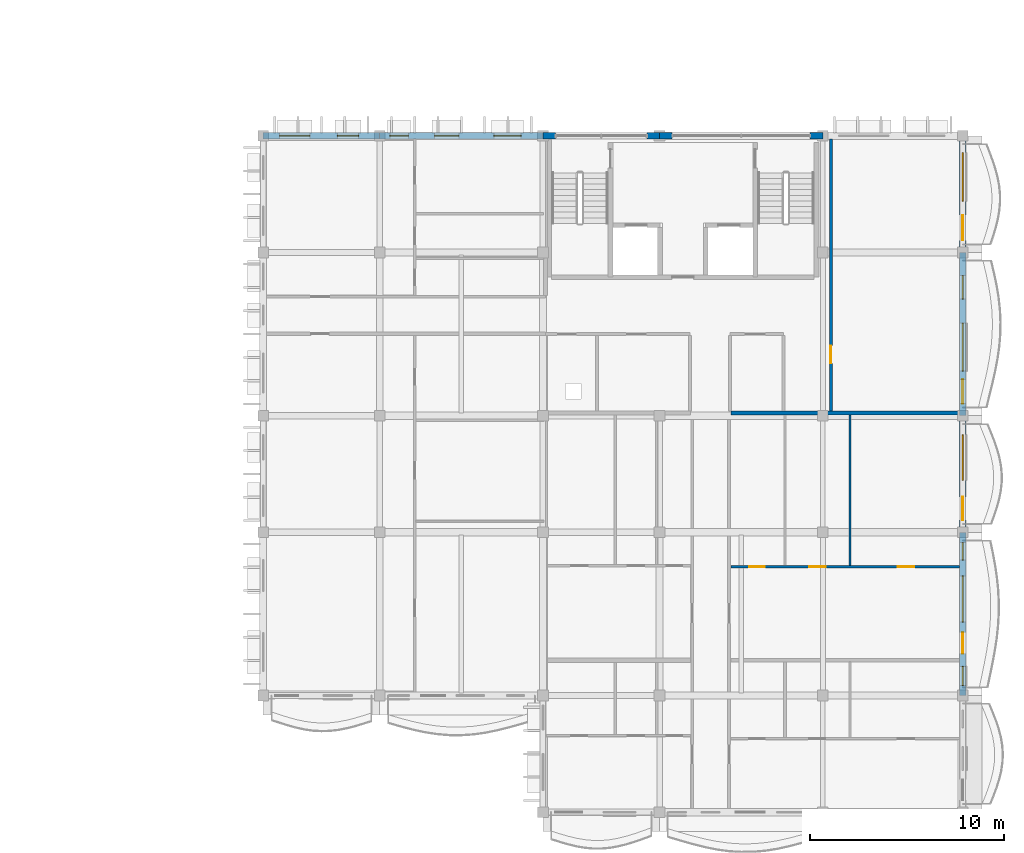
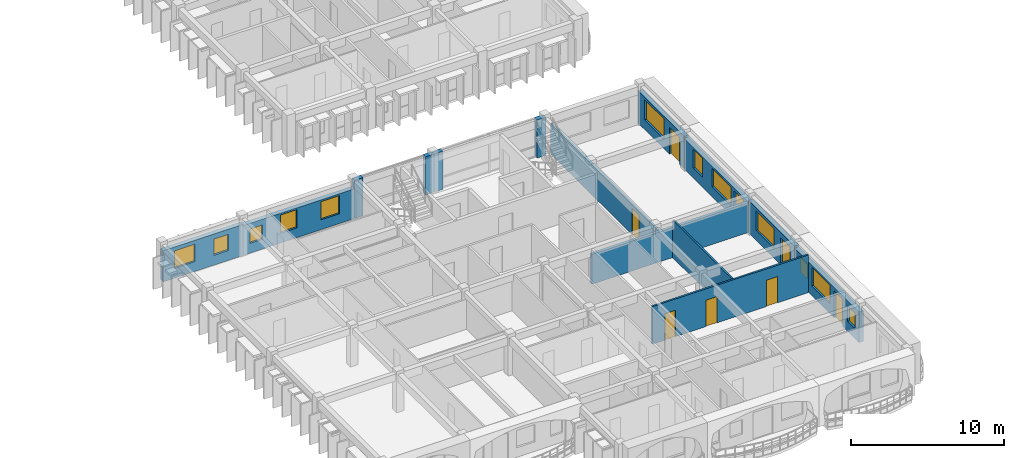
# One storey, part 61 of 101: 14 walls, 12 windows, 8 doors, 20 openings.
"""IFC4 building model written with IfcOpenShell, lengths in metres."""

from ifc_helpers import new_model, si_unit, direction, frame, frame_2d, origin, place, context, subcontext, project, spatial, rectangle, extrude, material, layer, layer_set, type_object, element, fill, save


model = new_model("IFC4")

# Units and contexts
model_context = context("Model", 3, precision=1e-05, world=origin(), true_north=direction((0.0, 1.0)))
body_context = subcontext(model_context, "Body", "Model", "MODEL_VIEW")
ifc_project = project(units=[si_unit("LENGTHUNIT", "METRE"), si_unit("AREAUNIT", "SQUARE_METRE"), si_unit("VOLUMEUNIT", "CUBIC_METRE"), si_unit("PLANEANGLEUNIT", "RADIAN"), si_unit("MASSUNIT", "GRAM", prefix="KILO"), si_unit("THERMODYNAMICTEMPERATUREUNIT", "KELVIN")], contexts=[model_context])

# Site, building, storey
site_placement = place(None, origin())
site = spatial("IfcSite", under=ifc_project, at=site_placement, CompositionType="ELEMENT")
building_placement = place(site_placement, origin())
building = spatial("IfcBuilding", under=site, at=building_placement, Name="Thalorik Housing Commons", CompositionType="ELEMENT")
storey_placement = place(building_placement, frame((0.0, 0.0, 8.10009765625)))
storey = spatial("IfcBuildingStorey", under=building, at=storey_placement, Name="L02", CompositionType="ELEMENT", Elevation=8.10009765625)

# Wall, opening, door
ifc_material_1 = material(Name="Masonry fire-rated corridor wall", Category="masonry")
ifc_layer_1 = layer(ifc_material_1, 0.14990234375, Name="Masonry fire-rated corridor wall", Category="masonry")
ifc_layer_set_1 = layer_set([ifc_layer_1], Name="Masonry fire-rated corridor wall")
wall_type_1 = type_object("IfcWallType", Name="ARC-WAL-CORR-150", PredefinedType="PARTITIONING", material=ifc_layer_set_1)
wall_1_placement = place(storey_placement, frame((167.219970703125, 57.85205078125, 0.0), z_axis=(0.0, 0.0, 1.0), x_axis=(0.0, 1.0, 0.0)))
wall_1 = element("IfcWall", 1, at=wall_1_placement, inside=storey, type_object=wall_type_1, Name="L02 Block D East Studio Wall", PredefinedType="PARTITIONING", context=body_context, shape_type="SweptSolid", body=[
    extrude(rectangle(XDim=13.978515625, YDim=0.14990234375, at=frame_2d((6.9892578125, 0.0))), origin(), (0.0, 0.0, 1.0), 2.4248046875),
])
opening_1_placement = place(wall_1_placement, frame((2.43798828125, 0.0, 0.0)))
opening_1 = element("IfcOpeningElement", 2, at=opening_1_placement, cuts=wall_1, Name="Opening ID-2016", PredefinedType="OPENING", context=body_context, shape_type="SweptSolid", body=[
    extrude(rectangle(XDim=0.919921875, YDim=2.10009765625, at=frame_2d((0.4599609375, 1.050048828125))), frame((0.0, 0.0849609375, 0.0), z_axis=(0.0, -1.0, 0.0), x_axis=(1.0, 0.0, 0.0)), (0.0, 0.0, 1.0), 0.169921875),
])
ifc_material_2 = material(Name="Solid core hardwood timber", Category="wood")
door_type_1 = type_object("IfcDoorType", Name="ARC-DR-FD30-920", OperationType="NOTDEFINED", PredefinedType="DOOR", material=ifc_material_2)
door_1_placement = place(opening_1_placement, origin())
door_1 = element("IfcDoor", 3, at=door_1_placement, inside=storey, type_object=door_type_1, Name="L02 Block D East Room Door", OperationType="SINGLE_SWING_LEFT", OverallHeight=2.10009765625, OverallWidth=0.919921875, PredefinedType="DOOR", context=body_context, shape_type="SweptSolid", body=[
    extrude(rectangle(XDim=0.919921875, YDim=2.10009765625, at=frame_2d((0.4599609375, 1.050048828125))), frame((0.0, 0.02490234375, 0.0), z_axis=(0.0, -1.0, 0.0), x_axis=(1.0, 0.0, 0.0)), (0.0, 0.0, 1.0), 0.050048828125),
])
fill(opening_1, door_1)

# Wall, openings, windows
ifc_material_3 = material(Name="White precast concrete C40/50", Category="concrete")
ifc_layer_2 = layer(ifc_material_3, 0.3349609375, Name="White precast concrete C40/50", Category="concrete")
ifc_layer_set_2 = layer_set([ifc_layer_2], Name="White precast concrete C40/50")
wall_type_2 = type_object("IfcWallType", Name="ARC-WAL-EXT-335", PredefinedType="STANDARD", material=ifc_layer_set_2)
wall_2_placement = place(storey_placement, frame((152.39990234375, 72.0, 0.0), z_axis=(0.0, 0.0, 1.0), x_axis=(-1.0, 0.0, 0.0)))
wall_2 = element("IfcWall", 4, at=wall_2_placement, inside=storey, type_object=wall_type_2, Name="L02 Exterior Wall WAL-EXT-L02-D-1145", PredefinedType="STANDARD", context=body_context, shape_type="SweptSolid", body=[
    extrude(rectangle(XDim=8.39990234375, YDim=0.3349609375, at=frame_2d((4.199951171875, 0.0))), origin(), (0.0, 0.0, 1.0), 2.375),
])
opening_2_placement = place(wall_2_placement, frame((1.125, 0.0, 0.780029296875)))
opening_2 = element("IfcOpeningElement", 5, at=opening_2_placement, cuts=wall_2, Name="Opening W-08", PredefinedType="OPENING", context=body_context, shape_type="SweptSolid", body=[
    extrude(rectangle(XDim=1.39990234375, YDim=1.449951171875, at=frame_2d((0.699951171875, 0.72509765625))), frame((0.0, 0.177490234375, 0.0), z_axis=(0.0, -1.0, 0.0), x_axis=(1.0, 0.0, 0.0)), (0.0, 0.0, 1.0), 0.35498046875),
])
opening_3_placement = place(wall_2_placement, frame((4.32958984375, 0.0, 0.780029296875)))
opening_3 = element("IfcOpeningElement", 6, at=opening_3_placement, cuts=wall_2, Name="Opening W-47", PredefinedType="OPENING", context=body_context, shape_type="SweptSolid", body=[
    extrude(rectangle(XDim=1.25, YDim=1.449951171875, at=frame_2d((0.625, 0.72509765625))), frame((0.0, 0.177490234375, 0.0), z_axis=(0.0, -1.0, 0.0), x_axis=(1.0, 0.0, 0.0)), (0.0, 0.0, 1.0), 0.35498046875),
])
opening_4_placement = place(wall_2_placement, frame((6.9248046875, 0.0, 0.780029296875)))
opening_4 = element("IfcOpeningElement", 7, at=opening_4_placement, cuts=wall_2, Name="Opening W-43", PredefinedType="OPENING", context=body_context, shape_type="SweptSolid", body=[
    extrude(rectangle(XDim=0.949951171875, YDim=1.14990234375, at=frame_2d((0.47509765625, 0.574951171875))), frame((0.0, 0.177490234375, 0.0), z_axis=(0.0, -1.0, 0.0), x_axis=(1.0, 0.0, 0.0)), (0.0, 0.0, 1.0), 0.35498046875),
])
ifc_material_4 = material(Name="Anodised aluminium and solar-control low-E glass", Category="aluminium")
window_type_1 = type_object("IfcWindowType", Name="ARC-WIN-08", PartitioningType="SINGLE_PANEL", PredefinedType="WINDOW", material=ifc_material_4)
window_1_placement = place(opening_2_placement, origin())
window_1 = element("IfcWindow", 8, at=window_1_placement, inside=storey, type_object=window_type_1, Name="L02 Facade Window 2096", OverallHeight=1.449951171875, OverallWidth=1.39990234375, PartitioningType="SINGLE_PANEL", PredefinedType="WINDOW", context=body_context, shape_type="SweptSolid", body=[
    extrude(rectangle(XDim=1.39990234375, YDim=1.449951171875, at=frame_2d((0.699951171875, 0.72509765625))), frame((0.0, 0.030029296875, 0.0), z_axis=(0.0, -1.0, 0.0), x_axis=(1.0, 0.0, 0.0)), (0.0, 0.0, 1.0), 0.06005859375),
])
fill(opening_2, window_1)
window_type_2 = type_object("IfcWindowType", Name="ARC-WIN-43", PartitioningType="SINGLE_PANEL", PredefinedType="WINDOW", material=ifc_material_4)
window_2_placement = place(opening_4_placement, origin())
window_2 = element("IfcWindow", 9, at=window_2_placement, inside=storey, type_object=window_type_2, Name="L02 Facade Window 2098", OverallHeight=1.14990234375, OverallWidth=0.949951171875, PartitioningType="SINGLE_PANEL", PredefinedType="WINDOW", context=body_context, shape_type="SweptSolid", body=[
    extrude(rectangle(XDim=0.949951171875, YDim=1.14990234375, at=frame_2d((0.47509765625, 0.574951171875))), frame((0.0, 0.030029296875, 0.0), z_axis=(0.0, -1.0, 0.0), x_axis=(1.0, 0.0, 0.0)), (0.0, 0.0, 1.0), 0.06005859375),
])
fill(opening_4, window_2)
window_type_3 = type_object("IfcWindowType", Name="ARC-WIN-47", PartitioningType="SINGLE_PANEL", PredefinedType="WINDOW", material=ifc_material_4)
window_3_placement = place(opening_3_placement, origin())
window_3 = element("IfcWindow", 10, at=window_3_placement, inside=storey, type_object=window_type_3, Name="L02 Facade Window 2097", OverallHeight=1.449951171875, OverallWidth=1.25, PartitioningType="SINGLE_PANEL", PredefinedType="WINDOW", context=body_context, shape_type="SweptSolid", body=[
    extrude(rectangle(XDim=1.25, YDim=1.449951171875, at=frame_2d((0.625, 0.72509765625))), frame((0.0, 0.030029296875, 0.0), z_axis=(0.0, -1.0, 0.0), x_axis=(1.0, 0.0, 0.0)), (0.0, 0.0, 1.0), 0.06005859375),
])
fill(opening_3, window_3)

wall_3_placement = place(storey_placement, frame((144.0, 72.0, 0.0), z_axis=(0.0, 0.0, 1.0), x_axis=(-1.0, 0.0, 0.0)))
wall_3 = element("IfcWall", 11, at=wall_3_placement, inside=storey, type_object=wall_type_2, Name="L02 Exterior Wall WAL-EXT-L02-D-1146", PredefinedType="STANDARD", context=body_context, shape_type="SweptSolid", body=[
    extrude(rectangle(XDim=6.0, YDim=0.3349609375, at=frame_2d((3.0, 0.0))), origin(), (0.0, 0.0, 1.0), 2.474853515625),
])
opening_5_placement = place(wall_3_placement, frame((1.080078125, 0.0, 0.780029296875)))
opening_5 = element("IfcOpeningElement", 12, at=opening_5_placement, cuts=wall_3, Name="Opening W-03", PredefinedType="OPENING", context=body_context, shape_type="SweptSolid", body=[
    extrude(rectangle(XDim=1.10009765625, YDim=1.300048828125, at=frame_2d((0.550048828125, 0.64990234375))), frame((0.0, 0.177490234375, 0.0), z_axis=(0.0, -1.0, 0.0), x_axis=(1.0, 0.0, 0.0)), (0.0, 0.0, 1.0), 0.35498046875),
])
opening_6_placement = place(wall_3_placement, frame((3.594970703125, 0.0, 0.780029296875)))
opening_6 = element("IfcOpeningElement", 13, at=opening_6_placement, cuts=wall_3, Name="Opening W-12", PredefinedType="OPENING", context=body_context, shape_type="SweptSolid", body=[
    extrude(rectangle(XDim=1.550048828125, YDim=1.39990234375, at=frame_2d((0.77490234375, 0.699951171875))), frame((0.0, 0.177490234375, 0.0), z_axis=(0.0, -1.0, 0.0), x_axis=(1.0, 0.0, 0.0)), (0.0, 0.0, 1.0), 0.35498046875),
])
window_type_4 = type_object("IfcWindowType", Name="ARC-WIN-03", PartitioningType="SINGLE_PANEL", PredefinedType="WINDOW", material=ifc_material_4)
window_4_placement = place(opening_5_placement, origin())
window_4 = element("IfcWindow", 14, at=window_4_placement, inside=storey, type_object=window_type_4, Name="L02 Facade Window 2099", OverallHeight=1.300048828125, OverallWidth=1.10009765625, PartitioningType="SINGLE_PANEL", PredefinedType="WINDOW", context=body_context, shape_type="SweptSolid", body=[
    extrude(rectangle(XDim=1.10009765625, YDim=1.300048828125, at=frame_2d((0.550048828125, 0.64990234375))), frame((0.0, 0.030029296875, 0.0), z_axis=(0.0, -1.0, 0.0), x_axis=(1.0, 0.0, 0.0)), (0.0, 0.0, 1.0), 0.06005859375),
])
fill(opening_5, window_4)
window_type_5 = type_object("IfcWindowType", Name="ARC-WIN-12", PartitioningType="SINGLE_PANEL", PredefinedType="WINDOW", material=ifc_material_4)
window_5_placement = place(opening_6_placement, origin())
window_5 = element("IfcWindow", 15, at=window_5_placement, inside=storey, type_object=window_type_5, Name="L02 Facade Window 2100", OverallHeight=1.39990234375, OverallWidth=1.550048828125, PartitioningType="SINGLE_PANEL", PredefinedType="WINDOW", context=body_context, shape_type="SweptSolid", body=[
    extrude(rectangle(XDim=1.550048828125, YDim=1.39990234375, at=frame_2d((0.77490234375, 0.699951171875))), frame((0.0, 0.030029296875, 0.0), z_axis=(0.0, -1.0, 0.0), x_axis=(1.0, 0.0, 0.0)), (0.0, 0.0, 1.0), 0.06005859375),
])
fill(opening_6, window_5)

# Wall, openings, door, windows
wall_4_placement = place(storey_placement, frame((174.0, 43.199951171875, 0.0), z_axis=(0.0, 0.0, 1.0), x_axis=(0.0, 1.0, 0.0)))
wall_4 = element("IfcWall", 16, at=wall_4_placement, inside=storey, type_object=wall_type_2, Name="L02 Exterior Wall WAL-EXT-L02-D-1158", PredefinedType="STANDARD", context=body_context, shape_type="SweptSolid", body=[
    extrude(rectangle(XDim=8.400146484375, YDim=0.3349609375, at=frame_2d((4.2001953125, 0.0))), origin(), (0.0, 0.0, 1.0), 2.4248046875),
])
opening_7_placement = place(wall_4_placement, frame((2.14990234375, 0.0, 0.0)))
opening_7 = element("IfcOpeningElement", 17, at=opening_7_placement, cuts=wall_4, Name="Opening ED-0382", PredefinedType="OPENING", context=body_context, shape_type="SweptSolid", body=[
    extrude(rectangle(XDim=1.10009765625, YDim=2.14990234375, at=frame_2d((0.550048828125, 1.074951171875))), frame((0.0, 0.177490234375, 0.0), z_axis=(0.0, -1.0, 0.0), x_axis=(1.0, 0.0, 0.0)), (0.0, 0.0, 1.0), 0.35498046875),
])
opening_8_placement = place(wall_4_placement, frame((0.5048828125, 0.0, 0.780029296875)))
opening_8 = element("IfcOpeningElement", 18, at=opening_8_placement, cuts=wall_4, Name="Opening W-02", PredefinedType="OPENING", context=body_context, shape_type="SweptSolid", body=[
    extrude(rectangle(XDim=1.0, YDim=1.25, at=frame_2d((0.5, 0.625))), frame((0.0, 0.177490234375, 0.0), z_axis=(0.0, -1.0, 0.0), x_axis=(1.0, 0.0, 0.0)), (0.0, 0.0, 1.0), 0.35498046875),
])
opening_9_placement = place(wall_4_placement, frame((3.772705078125, 0.0, 0.780029296875)))
opening_9 = element("IfcOpeningElement", 19, at=opening_9_placement, cuts=wall_4, Name="Opening W-69", PredefinedType="OPENING", context=body_context, shape_type="SweptSolid", body=[
    extrude(rectangle(XDim=2.3798828125, YDim=1.47998046875, at=frame_2d((1.18994140625, 0.739990234375))), frame((0.0, 0.177490234375, 0.0), z_axis=(0.0, -1.0, 0.0), x_axis=(1.0, 0.0, 0.0)), (0.0, 0.0, 1.0), 0.35498046875),
])
opening_10_placement = place(wall_4_placement, frame((6.9677734375, 0.0, 0.780029296875)))
opening_10 = element("IfcOpeningElement", 20, at=opening_10_placement, cuts=wall_4, Name="Opening W-01", PredefinedType="OPENING", context=body_context, shape_type="SweptSolid", body=[
    extrude(rectangle(XDim=0.89990234375, YDim=1.199951171875, at=frame_2d((0.449951171875, 0.60009765625))), frame((0.0, 0.177490234375, 0.0), z_axis=(0.0, -1.0, 0.0), x_axis=(1.0, 0.0, 0.0)), (0.0, 0.0, 1.0), 0.35498046875),
])
ifc_material_5 = material(Name="Anodised aluminium and laminated safety glass", Category="aluminium")
door_type_2 = type_object("IfcDoorType", Name="ARC-DR-BAL-1100", OperationType="NOTDEFINED", PredefinedType="DOOR", material=ifc_material_5)
door_2_placement = place(opening_7_placement, frame((1.10009765625, 0.0, 0.0), z_axis=(0.0, 0.0, 1.0), x_axis=(-1.0, 0.0, 0.0)))
door_2 = element("IfcDoor", 21, at=door_2_placement, inside=storey, type_object=door_type_2, Name="L02 Block D Balcony Glazed Door", OperationType="SINGLE_SWING_LEFT", OverallHeight=2.14990234375, OverallWidth=1.10009765625, PredefinedType="DOOR", context=body_context, shape_type="SweptSolid", body=[
    extrude(rectangle(XDim=1.10009765625, YDim=2.14990234375, at=frame_2d((0.550048828125, 1.074951171875))), frame((0.0, 0.02490234375, 0.0), z_axis=(0.0, -1.0, 0.0), x_axis=(1.0, 0.0, 0.0)), (0.0, 0.0, 1.0), 0.050048828125),
])
fill(opening_7, door_2)
window_type_6 = type_object("IfcWindowType", Name="ARC-WIN-01", PartitioningType="SINGLE_PANEL", PredefinedType="WINDOW", material=ifc_material_4)
window_6_placement = place(opening_10_placement, origin())
window_6 = element("IfcWindow", 22, at=window_6_placement, inside=storey, type_object=window_type_6, Name="L02 Facade Window 2126", OverallHeight=1.199951171875, OverallWidth=0.89990234375, PartitioningType="SINGLE_PANEL", PredefinedType="WINDOW", context=body_context, shape_type="SweptSolid", body=[
    extrude(rectangle(XDim=0.89990234375, YDim=1.199951171875, at=frame_2d((0.449951171875, 0.60009765625))), frame((0.0, 0.030029296875, 0.0), z_axis=(0.0, -1.0, 0.0), x_axis=(1.0, 0.0, 0.0)), (0.0, 0.0, 1.0), 0.06005859375),
])
fill(opening_10, window_6)
window_type_7 = type_object("IfcWindowType", Name="ARC-WIN-02", PartitioningType="SINGLE_PANEL", PredefinedType="WINDOW", material=ifc_material_4)
window_7_placement = place(opening_8_placement, origin())
window_7 = element("IfcWindow", 23, at=window_7_placement, inside=storey, type_object=window_type_7, Name="L02 Facade Window 2124", OverallHeight=1.25, OverallWidth=1.0, PartitioningType="SINGLE_PANEL", PredefinedType="WINDOW", context=body_context, shape_type="SweptSolid", body=[
    extrude(rectangle(XDim=1.0, YDim=1.25, at=frame_2d((0.5, 0.625))), frame((0.0, 0.030029296875, 0.0), z_axis=(0.0, -1.0, 0.0), x_axis=(1.0, 0.0, 0.0)), (0.0, 0.0, 1.0), 0.06005859375),
])
fill(opening_8, window_7)
window_type_8 = type_object("IfcWindowType", Name="ARC-WIN-69", PartitioningType="DOUBLE_PANEL_VERTICAL", PredefinedType="WINDOW", material=ifc_material_4)
window_8_placement = place(opening_9_placement, origin())
window_8 = element("IfcWindow", 24, at=window_8_placement, inside=storey, type_object=window_type_8, Name="L02 Facade Window 2125", OverallHeight=1.47998046875, OverallWidth=2.3798828125, PartitioningType="DOUBLE_PANEL_VERTICAL", PredefinedType="WINDOW", context=body_context, shape_type="SweptSolid", body=[
    extrude(rectangle(XDim=2.3798828125, YDim=1.47998046875, at=frame_2d((1.18994140625, 0.739990234375))), frame((0.0, 0.030029296875, 0.0), z_axis=(0.0, -1.0, 0.0), x_axis=(1.0, 0.0, 0.0)), (0.0, 0.0, 1.0), 0.06005859375),
])
fill(opening_9, window_8)

# Wall, openings, door, window
wall_5_placement = place(storey_placement, frame((174.0, 51.60009765625, 0.0), z_axis=(0.0, 0.0, 1.0), x_axis=(0.0, 1.0, 0.0)))
wall_5 = element("IfcWall", 25, at=wall_5_placement, inside=storey, type_object=wall_type_2, Name="L02 Exterior Wall WAL-EXT-L02-D-1159", PredefinedType="STANDARD", context=body_context, shape_type="SweptSolid", body=[
    extrude(rectangle(XDim=6.0, YDim=0.3349609375, at=frame_2d((3.0, 0.0))), origin(), (0.0, 0.0, 1.0), 2.574951171875),
])
opening_11_placement = place(wall_5_placement, frame((0.6201171875, 0.0, 0.0)))
opening_11 = element("IfcOpeningElement", 26, at=opening_11_placement, cuts=wall_5, Name="Opening ED-0383", PredefinedType="OPENING", context=body_context, shape_type="SweptSolid", body=[
    extrude(rectangle(XDim=1.199951171875, YDim=2.14990234375, at=frame_2d((0.60009765625, 1.074951171875))), frame((0.0, 0.177490234375, 0.0), z_axis=(0.0, -1.0, 0.0), x_axis=(1.0, 0.0, 0.0)), (0.0, 0.0, 1.0), 0.35498046875),
])
opening_12_placement = place(wall_5_placement, frame((2.6650390625, 0.0, 0.780029296875)))
opening_12 = element("IfcOpeningElement", 27, at=opening_12_placement, cuts=wall_5, Name="Opening W-33", PredefinedType="OPENING", context=body_context, shape_type="SweptSolid", body=[
    extrude(rectangle(XDim=2.35009765625, YDim=1.550048828125, at=frame_2d((1.175048828125, 0.77490234375))), frame((0.0, 0.177490234375, 0.0), z_axis=(0.0, -1.0, 0.0), x_axis=(1.0, 0.0, 0.0)), (0.0, 0.0, 1.0), 0.35498046875),
])
door_type_3 = type_object("IfcDoorType", Name="ARC-DR-BAL-1200", OperationType="NOTDEFINED", PredefinedType="DOOR", material=ifc_material_5)
door_3_placement = place(opening_11_placement, frame((1.199951171875, 0.0, 0.0), z_axis=(0.0, 0.0, 1.0), x_axis=(-1.0, 0.0, 0.0)))
door_3 = element("IfcDoor", 28, at=door_3_placement, inside=storey, type_object=door_type_3, Name="L02 Block D Balcony Glazed Door", OperationType="SINGLE_SWING_RIGHT", OverallHeight=2.14990234375, OverallWidth=1.199951171875, PredefinedType="DOOR", context=body_context, shape_type="SweptSolid", body=[
    extrude(rectangle(XDim=1.199951171875, YDim=2.14990234375, at=frame_2d((0.60009765625, 1.074951171875))), frame((0.0, 0.02490234375, 0.0), z_axis=(0.0, -1.0, 0.0), x_axis=(1.0, 0.0, 0.0)), (0.0, 0.0, 1.0), 0.050048828125),
])
fill(opening_11, door_3)
window_type_9 = type_object("IfcWindowType", Name="ARC-WIN-33", PartitioningType="DOUBLE_PANEL_VERTICAL", PredefinedType="WINDOW", material=ifc_material_4)
window_9_placement = place(opening_12_placement, origin())
window_9 = element("IfcWindow", 29, at=window_9_placement, inside=storey, type_object=window_type_9, Name="L02 Facade Window 2127", OverallHeight=1.550048828125, OverallWidth=2.35009765625, PartitioningType="DOUBLE_PANEL_VERTICAL", PredefinedType="WINDOW", context=body_context, shape_type="SweptSolid", body=[
    extrude(rectangle(XDim=2.35009765625, YDim=1.550048828125, at=frame_2d((1.175048828125, 0.77490234375))), frame((0.0, 0.030029296875, 0.0), z_axis=(0.0, -1.0, 0.0), x_axis=(1.0, 0.0, 0.0)), (0.0, 0.0, 1.0), 0.06005859375),
])
fill(opening_12, window_9)

# Wall, openings, door, windows
wall_6_placement = place(storey_placement, frame((174.0, 57.60009765625, 0.0), z_axis=(0.0, 0.0, 1.0), x_axis=(0.0, 1.0, 0.0)))
wall_6 = element("IfcWall", 30, at=wall_6_placement, inside=storey, type_object=wall_type_2, Name="L02 Exterior Wall WAL-EXT-L02-D-1160", PredefinedType="STANDARD", context=body_context, shape_type="SweptSolid", body=[
    extrude(rectangle(XDim=8.39990234375, YDim=0.3349609375, at=frame_2d((4.199951171875, 0.0))), origin(), (0.0, 0.0, 1.0), 2.4248046875),
])
opening_13_placement = place(wall_6_placement, frame((0.6201171875, 0.0, 0.0)))
opening_13 = element("IfcOpeningElement", 31, at=opening_13_placement, cuts=wall_6, Name="Opening ED-0384", PredefinedType="OPENING", context=body_context, shape_type="SweptSolid", body=[
    extrude(rectangle(XDim=1.25, YDim=2.199951171875, at=frame_2d((0.625, 1.10009765625))), frame((0.0, 0.177490234375, 0.0), z_axis=(0.0, -1.0, 0.0), x_axis=(1.0, 0.0, 0.0)), (0.0, 0.0, 1.0), 0.35498046875),
])
opening_14_placement = place(wall_6_placement, frame((2.28759765625, 0.0, 0.780029296875)))
opening_14 = element("IfcOpeningElement", 32, at=opening_14_placement, cuts=wall_6, Name="Opening W-71", PredefinedType="OPENING", context=body_context, shape_type="SweptSolid", body=[
    extrude(rectangle(XDim=2.47998046875, YDim=1.4599609375, at=frame_2d((1.239990234375, 0.72998046875))), frame((0.0, 0.177490234375, 0.0), z_axis=(0.0, -1.0, 0.0), x_axis=(1.0, 0.0, 0.0)), (0.0, 0.0, 1.0), 0.35498046875),
])
opening_15_placement = place(wall_6_placement, frame((6.00244140625, 0.0, 0.780029296875)))
opening_15 = element("IfcOpeningElement", 33, at=opening_15_placement, cuts=wall_6, Name="Opening W-05", PredefinedType="OPENING", context=body_context, shape_type="SweptSolid", body=[
    extrude(rectangle(XDim=1.199951171875, YDim=1.5, at=frame_2d((0.60009765625, 0.75))), frame((0.0, 0.177490234375, 0.0), z_axis=(0.0, -1.0, 0.0), x_axis=(1.0, 0.0, 0.0)), (0.0, 0.0, 1.0), 0.35498046875),
])
door_type_4 = type_object("IfcDoorType", Name="ARC-DR-BAL-1250", OperationType="NOTDEFINED", PredefinedType="DOOR", material=ifc_material_5)
door_4_placement = place(opening_13_placement, frame((1.25, 0.0, 0.0), z_axis=(0.0, 0.0, 1.0), x_axis=(-1.0, 0.0, 0.0)))
door_4 = element("IfcDoor", 34, at=door_4_placement, inside=storey, type_object=door_type_4, Name="L02 Block D Balcony Glazed Door", OperationType="SINGLE_SWING_LEFT", OverallHeight=2.199951171875, OverallWidth=1.25, PredefinedType="DOOR", context=body_context, shape_type="SweptSolid", body=[
    extrude(rectangle(XDim=1.25, YDim=2.199951171875, at=frame_2d((0.625, 1.10009765625))), frame((0.0, 0.02490234375, 0.0), z_axis=(0.0, -1.0, 0.0), x_axis=(1.0, 0.0, 0.0)), (0.0, 0.0, 1.0), 0.050048828125),
])
fill(opening_13, door_4)
window_type_10 = type_object("IfcWindowType", Name="ARC-WIN-05", PartitioningType="SINGLE_PANEL", PredefinedType="WINDOW", material=ifc_material_4)
window_10_placement = place(opening_15_placement, origin())
window_10 = element("IfcWindow", 35, at=window_10_placement, inside=storey, type_object=window_type_10, Name="L02 Facade Window 2129", OverallHeight=1.5, OverallWidth=1.199951171875, PartitioningType="SINGLE_PANEL", PredefinedType="WINDOW", context=body_context, shape_type="SweptSolid", body=[
    extrude(rectangle(XDim=1.199951171875, YDim=1.5, at=frame_2d((0.60009765625, 0.75))), frame((0.0, 0.030029296875, 0.0), z_axis=(0.0, -1.0, 0.0), x_axis=(1.0, 0.0, 0.0)), (0.0, 0.0, 1.0), 0.06005859375),
])
fill(opening_15, window_10)
window_type_11 = type_object("IfcWindowType", Name="ARC-WIN-71", PartitioningType="DOUBLE_PANEL_VERTICAL", PredefinedType="WINDOW", material=ifc_material_4)
window_11_placement = place(opening_14_placement, origin())
window_11 = element("IfcWindow", 36, at=window_11_placement, inside=storey, type_object=window_type_11, Name="L02 Facade Window 2128", OverallHeight=1.4599609375, OverallWidth=2.47998046875, PartitioningType="DOUBLE_PANEL_VERTICAL", PredefinedType="WINDOW", context=body_context, shape_type="SweptSolid", body=[
    extrude(rectangle(XDim=2.47998046875, YDim=1.4599609375, at=frame_2d((1.239990234375, 0.72998046875))), frame((0.0, 0.030029296875, 0.0), z_axis=(0.0, -1.0, 0.0), x_axis=(1.0, 0.0, 0.0)), (0.0, 0.0, 1.0), 0.06005859375),
])
fill(opening_14, window_11)

# Wall, openings, door, window
wall_7_placement = place(storey_placement, frame((174.0, 66.0, 0.0), z_axis=(0.0, 0.0, 1.0), x_axis=(0.0, 1.0, 0.0)))
wall_7 = element("IfcWall", 37, at=wall_7_placement, inside=storey, type_object=wall_type_2, Name="L02 Exterior Wall WAL-EXT-L02-D-1161", PredefinedType="STANDARD", context=body_context, shape_type="SweptSolid", body=[
    extrude(rectangle(XDim=6.0, YDim=0.3349609375, at=frame_2d((3.0, 0.0))), origin(), (0.0, 0.0, 1.0), 2.574951171875),
])
opening_16_placement = place(wall_7_placement, frame((0.6201171875, 0.0, 0.0)))
opening_16 = element("IfcOpeningElement", 38, at=opening_16_placement, cuts=wall_7, Name="Opening ED-0385", PredefinedType="OPENING", context=body_context, shape_type="SweptSolid", body=[
    extrude(rectangle(XDim=1.300048828125, YDim=2.14990234375, at=frame_2d((0.64990234375, 1.074951171875))), frame((0.0, 0.177490234375, 0.0), z_axis=(0.0, -1.0, 0.0), x_axis=(1.0, 0.0, 0.0)), (0.0, 0.0, 1.0), 0.35498046875),
])
opening_17_placement = place(wall_7_placement, frame((2.639892578125, 0.0, 0.780029296875)))
opening_17 = element("IfcOpeningElement", 39, at=opening_17_placement, cuts=wall_7, Name="Opening W-37", PredefinedType="OPENING", context=body_context, shape_type="SweptSolid", body=[
    extrude(rectangle(XDim=2.5, YDim=1.60009765625, at=frame_2d((1.25, 0.800048828125))), frame((0.0, 0.177490234375, 0.0), z_axis=(0.0, -1.0, 0.0), x_axis=(1.0, 0.0, 0.0)), (0.0, 0.0, 1.0), 0.35498046875),
])
door_type_5 = type_object("IfcDoorType", Name="ARC-DR-BAL-1300", OperationType="NOTDEFINED", PredefinedType="DOOR", material=ifc_material_5)
door_5_placement = place(opening_16_placement, frame((1.300048828125, 0.0, 0.0), z_axis=(0.0, 0.0, 1.0), x_axis=(-1.0, 0.0, 0.0)))
door_5 = element("IfcDoor", 40, at=door_5_placement, inside=storey, type_object=door_type_5, Name="L02 Block D Balcony Glazed Door", OperationType="SINGLE_SWING_RIGHT", OverallHeight=2.14990234375, OverallWidth=1.300048828125, PredefinedType="DOOR", context=body_context, shape_type="SweptSolid", body=[
    extrude(rectangle(XDim=1.300048828125, YDim=2.14990234375, at=frame_2d((0.64990234375, 1.074951171875))), frame((0.0, 0.02490234375, 0.0), z_axis=(0.0, -1.0, 0.0), x_axis=(1.0, 0.0, 0.0)), (0.0, 0.0, 1.0), 0.050048828125),
])
fill(opening_16, door_5)
window_type_12 = type_object("IfcWindowType", Name="ARC-WIN-37", PartitioningType="DOUBLE_PANEL_VERTICAL", PredefinedType="WINDOW", material=ifc_material_4)
window_12_placement = place(opening_17_placement, origin())
window_12 = element("IfcWindow", 41, at=window_12_placement, inside=storey, type_object=window_type_12, Name="L02 Facade Window 2130", OverallHeight=1.60009765625, OverallWidth=2.5, PartitioningType="DOUBLE_PANEL_VERTICAL", PredefinedType="WINDOW", context=body_context, shape_type="SweptSolid", body=[
    extrude(rectangle(XDim=2.5, YDim=1.60009765625, at=frame_2d((1.25, 0.800048828125))), frame((0.0, 0.030029296875, 0.0), z_axis=(0.0, -1.0, 0.0), x_axis=(1.0, 0.0, 0.0)), (0.0, 0.0, 1.0), 0.06005859375),
])
fill(opening_17, window_12)

# Walls
for number, where, z_axis, x_axis, name in (
    (42, (166.800048828125, 72.0, 0.0), (0.0, 0.0, 1.0), (-1.0, 0.0, 0.0), "L02 Exterior Wall WAL-PIERL-L02-D-1163"),
    (43, (159.050048828125, 72.0, 0.0), (0.0, 0.0, 1.0), (-1.0, 0.0, 0.0), "L02 Exterior Wall WAL-PIERR-L02-D-1163"),
):
    element("IfcWall", number, at=place(storey_placement, frame(where, z_axis=z_axis, x_axis=x_axis)), inside=storey, type_object=wall_type_2, Name=name, PredefinedType="STANDARD", context=body_context, shape_type="SweptSolid", body=[
        extrude(rectangle(XDim=0.650146484375, YDim=0.3349609375, at=frame_2d((0.3251953125, 0.0))), origin(), (0.0, 0.0, 1.0), 3.039794921875),
    ])
wall_8_placement = place(storey_placement, frame((158.39990234375, 72.0, 0.0), z_axis=(0.0, 0.0, 1.0), x_axis=(-1.0, 0.0, 0.0)))
element("IfcWall", 44, at=wall_8_placement, inside=storey, type_object=wall_type_2, Name="L02 Exterior Wall WAL-PIERL-L02-D-1164", PredefinedType="STANDARD", context=body_context, shape_type="SweptSolid", body=[
    extrude(rectangle(XDim=0.64990234375, YDim=0.3349609375, at=frame_2d((0.324951171875, 0.0))), origin(), (0.0, 0.0, 1.0), 3.039794921875),
])
wall_9_placement = place(storey_placement, frame((153.050048828125, 72.0, 0.0), z_axis=(0.0, 0.0, 1.0), x_axis=(-1.0, 0.0, 0.0)))
element("IfcWall", 45, at=wall_9_placement, inside=storey, type_object=wall_type_2, Name="L02 Exterior Wall WAL-PIERR-L02-D-1164", PredefinedType="STANDARD", context=body_context, shape_type="SweptSolid", body=[
    extrude(rectangle(XDim=0.650146484375, YDim=0.3349609375, at=frame_2d((0.3251953125, 0.0))), origin(), (0.0, 0.0, 1.0), 3.039794921875),
])
ifc_material_6 = material(Name="Gypsum acoustic stud partition", Category="masonry")
ifc_layer_3 = layer(ifc_material_6, 0.125, Name="Gypsum acoustic stud partition", Category="masonry")
ifc_layer_set_3 = layer_set([ifc_layer_3], Name="Gypsum acoustic stud partition")
wall_type_3 = type_object("IfcWallType", Name="ARC-WAL-PART-125", PredefinedType="PARTITIONING", material=ifc_layer_set_3)
wall_10_placement = place(storey_placement, frame((168.19921875, 49.897705078125, 0.0), z_axis=(0.0, 0.0, 1.0), x_axis=(0.0, 1.0, 0.0)))
element("IfcWall", 46, at=wall_10_placement, inside=storey, type_object=wall_type_3, Name="L02 Unit 2B Bedroom Partition", PredefinedType="PARTITIONING", context=body_context, shape_type="SweptSolid", body=[
    extrude(rectangle(XDim=7.730224609375, YDim=0.125, at=frame_2d((3.865234375, 0.0))), origin(), (0.0, 0.0, 1.0), 3.0),
])

# Wall, openings, doors
ifc_material_7 = material(Name="Ceramic masonry partition wall", Category="masonry")
ifc_layer_4 = layer(ifc_material_7, 0.139892578125, Name="Ceramic masonry partition wall", Category="masonry")
ifc_layer_set_4 = layer_set([ifc_layer_4], Name="Ceramic masonry partition wall")
wall_type_4 = type_object("IfcWallType", Name="ARC-WAL-PART-140", PredefinedType="PARTITIONING", material=ifc_layer_set_4)
wall_11_placement = place(storey_placement, frame((162.064453125, 49.82568359375, 0.0), z_axis=(0.0, 0.0, 1.0), x_axis=(1.0, 0.0, 0.0)))
wall_11 = element("IfcWall", 47, at=wall_11_placement, inside=storey, type_object=wall_type_4, Name="L02 Unit 2B Spine Partition", PredefinedType="PARTITIONING", context=body_context, shape_type="SweptSolid", body=[
    extrude(rectangle(XDim=11.76611328125, YDim=0.139892578125, at=frame_2d((5.883056640625, 0.0))), origin(), (0.0, 0.0, 1.0), 3.0),
])
opening_18_placement = place(wall_11_placement, frame((0.95068359375, 0.0, 0.0)))
opening_18 = element("IfcOpeningElement", 48, at=opening_18_placement, cuts=wall_11, Name="Opening ID-2009", PredefinedType="OPENING", context=body_context, shape_type="SweptSolid", body=[
    extrude(rectangle(XDim=0.800048828125, YDim=2.10009765625, at=frame_2d((0.39990234375, 1.050048828125))), frame((0.0, 0.080078125, 0.0), z_axis=(0.0, -1.0, 0.0), x_axis=(1.0, 0.0, 0.0)), (0.0, 0.0, 1.0), 0.159912109375),
])
opening_19_placement = place(wall_11_placement, frame((4.035400390625, 0.0, 0.0)))
opening_19 = element("IfcOpeningElement", 49, at=opening_19_placement, cuts=wall_11, Name="Opening ID-2010", PredefinedType="OPENING", context=body_context, shape_type="SweptSolid", body=[
    extrude(rectangle(XDim=0.85009765625, YDim=2.10009765625, at=frame_2d((0.425048828125, 1.050048828125))), frame((0.0, 0.080078125, 0.0), z_axis=(0.0, -1.0, 0.0), x_axis=(1.0, 0.0, 0.0)), (0.0, 0.0, 1.0), 0.159912109375),
])
opening_20_placement = place(wall_11_placement, frame((8.580078125, 0.0, 0.0)))
opening_20 = element("IfcOpeningElement", 50, at=opening_20_placement, cuts=wall_11, Name="Opening ID-2011", PredefinedType="OPENING", context=body_context, shape_type="SweptSolid", body=[
    extrude(rectangle(XDim=0.85009765625, YDim=2.10009765625, at=frame_2d((0.425048828125, 1.050048828125))), frame((0.0, 0.080078125, 0.0), z_axis=(0.0, -1.0, 0.0), x_axis=(1.0, 0.0, 0.0)), (0.0, 0.0, 1.0), 0.159912109375),
])
ifc_material_8 = material(Name="Moisture-resistant timber", Category="wood")
door_type_6 = type_object("IfcDoorType", Name="ARC-DR-INT-800", OperationType="NOTDEFINED", PredefinedType="DOOR", material=ifc_material_8)
door_6_placement = place(opening_18_placement, origin())
door_6 = element("IfcDoor", 51, at=door_6_placement, inside=storey, type_object=door_type_6, Name="L02 Accessible Bathroom Door", OperationType="SINGLE_SWING_RIGHT", OverallHeight=2.10009765625, OverallWidth=0.800048828125, PredefinedType="DOOR", context=body_context, shape_type="SweptSolid", body=[
    extrude(rectangle(XDim=0.800048828125, YDim=2.10009765625, at=frame_2d((0.39990234375, 1.050048828125))), frame((0.0, 0.02490234375, 0.0), z_axis=(0.0, -1.0, 0.0), x_axis=(1.0, 0.0, 0.0)), (0.0, 0.0, 1.0), 0.050048828125),
])
fill(opening_18, door_6)
ifc_material_9 = material(Name="Engineered oak timber", Category="wood")
door_type_7 = type_object("IfcDoorType", Name="ARC-DR-INT-850", OperationType="NOTDEFINED", PredefinedType="DOOR", material=ifc_material_9)
door_7_placement = place(opening_19_placement, origin())
door_7 = element("IfcDoor", 52, at=door_7_placement, inside=storey, type_object=door_type_7, Name="L02 Galley Kitchen Door", OperationType="SINGLE_SWING_LEFT", OverallHeight=2.10009765625, OverallWidth=0.85009765625, PredefinedType="DOOR", context=body_context, shape_type="SweptSolid", body=[
    extrude(rectangle(XDim=0.85009765625, YDim=2.10009765625, at=frame_2d((0.425048828125, 1.050048828125))), frame((0.0, 0.02490234375, 0.0), z_axis=(0.0, -1.0, 0.0), x_axis=(1.0, 0.0, 0.0)), (0.0, 0.0, 1.0), 0.050048828125),
])
fill(opening_19, door_7)
door_8_placement = place(opening_20_placement, origin())
door_8 = element("IfcDoor", 53, at=door_8_placement, inside=storey, type_object=door_type_7, Name="L02 Double Bedroom Door", OperationType="SINGLE_SWING_RIGHT", OverallHeight=2.10009765625, OverallWidth=0.85009765625, PredefinedType="DOOR", context=body_context, shape_type="SweptSolid", body=[
    extrude(rectangle(XDim=0.85009765625, YDim=2.10009765625, at=frame_2d((0.425048828125, 1.050048828125))), frame((0.0, 0.02490234375, 0.0), z_axis=(0.0, -1.0, 0.0), x_axis=(1.0, 0.0, 0.0)), (0.0, 0.0, 1.0), 0.050048828125),
])
fill(opening_20, door_8)

# Wall
ifc_material_10 = material(Name="Precast concrete C40/50 acoustic wall", Category="concrete")
ifc_layer_5 = layer(ifc_material_10, 0.219970703125, Name="Precast concrete C40/50 acoustic wall", Category="concrete")
ifc_layer_set_5 = layer_set([ifc_layer_5], Name="Precast concrete C40/50 acoustic wall")
wall_type_5 = type_object("IfcWallType", Name="ARC-WAL-PARTY-220", PredefinedType="PARTITIONING", material=ifc_layer_set_5)
wall_12_placement = place(storey_placement, frame((162.064453125, 57.739990234375, 0.0), z_axis=(0.0, 0.0, 1.0), x_axis=(1.0, 0.0, 0.0)))
element("IfcWall", 54, at=wall_12_placement, inside=storey, type_object=wall_type_5, Name="L02 Core End Wall B", PredefinedType="PARTITIONING", context=body_context, shape_type="SweptSolid", body=[
    extrude(rectangle(XDim=11.76611328125, YDim=0.219970703125, at=frame_2d((5.883056640625, 0.0))), origin(), (0.0, 0.0, 1.0), 2.375),
])

save(model, "model.ifc")
